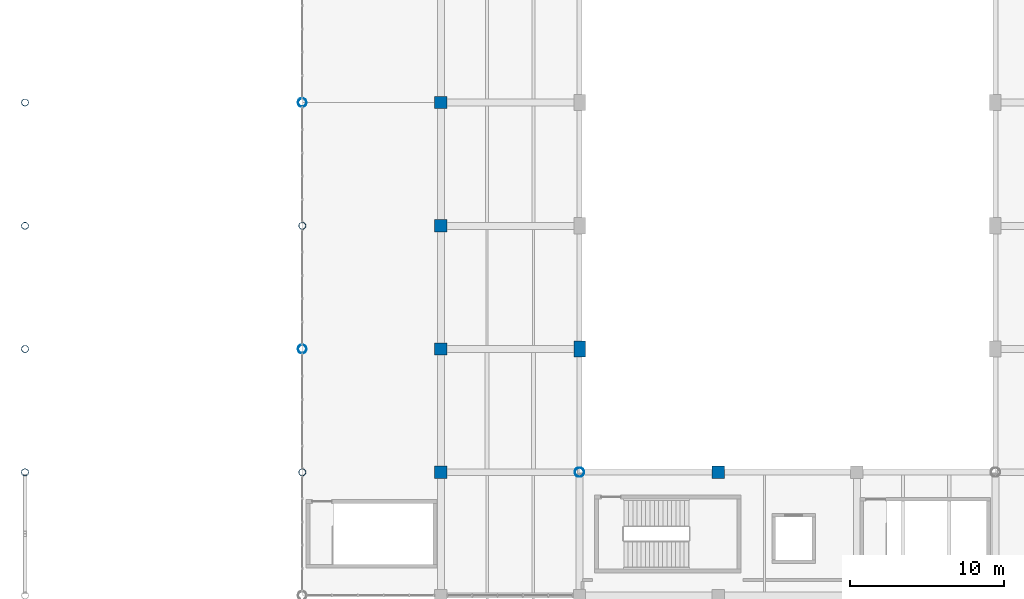
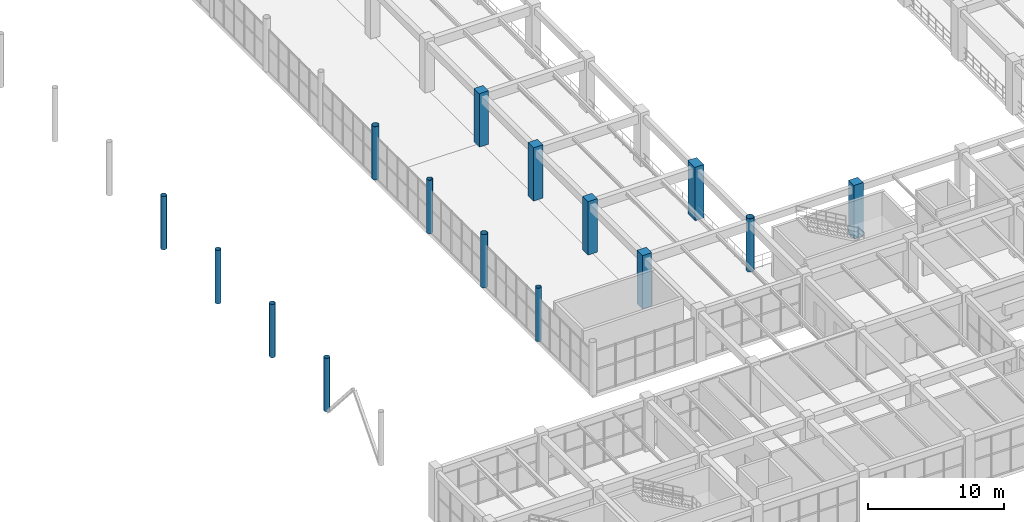
# One storey, part 3 of 178: 15 columns.
"""IFC4 building model written with IfcOpenShell, lengths in metres."""

from ifc_helpers import new_model, si_unit, derived_unit, direction, frame, origin, origin_2d, place, context, subcontext, project, spatial, rectangle, hollow_circle, extrude, material, material_profile, profile_set, type_object, element, save


model = new_model("IFC4")

# Units and contexts
model_context = context("Model", 3, precision=1e-05, world=origin(), true_north=direction((0.0, 1.0)))
body_context = subcontext(model_context, "Body", "Model", "MODEL_VIEW")
ifc_project = project(units=[si_unit("LENGTHUNIT", "METRE"), si_unit("AREAUNIT", "SQUARE_METRE"), si_unit("VOLUMEUNIT", "CUBIC_METRE"), si_unit("PLANEANGLEUNIT", "RADIAN"), si_unit("MASSUNIT", "GRAM", prefix="KILO"), derived_unit("THERMALTRANSMITTANCEUNIT", [(si_unit("MASSUNIT", "GRAM", prefix="KILO"), 1), (si_unit("TIMEUNIT", "SECOND"), -3), (si_unit("THERMODYNAMICTEMPERATUREUNIT", "KELVIN"), -1)])], contexts=[model_context])

# Site, building, storey
site_placement = place(None, origin())
site = spatial("IfcSite", under=ifc_project, at=site_placement, CompositionType="ELEMENT")
building_placement = place(site_placement, origin())
building = spatial("IfcBuilding", under=site, at=building_placement, Name="Zhenchuan Archway Interchange", CompositionType="ELEMENT")
storey_placement = place(building_placement, frame((0.0, 0.0, 5.39990234375)))
storey = spatial("IfcBuildingStorey", under=building, at=storey_placement, Name="L01", CompositionType="ELEMENT", Elevation=5.39990234375)

# Columns
ifc_material_1 = material(Name="Concrete C50", Category="concrete")
ifc_material_profile_1 = material_profile(ifc_material_1, rectangle(XDim=0.75, YDim=1.050048828125, at=origin_2d()), Name="RC 750x1050")
ifc_profile_set_1 = profile_set([ifc_material_profile_1], Name="Concrete C50")
column_type_1 = type_object("IfcColumnType", Name="COL_RC_750x1050", PredefinedType="COLUMN", material=ifc_profile_set_1)
column_1_placement = place(storey_placement, frame((36.0, 40.0, 0.0), z_axis=(0.0, 0.0, 1.0), x_axis=(1.0, 0.0, 0.0)))
element("IfcColumn", 1, at=column_1_placement, inside=storey, type_object=column_type_1, Name="Column 5/F (L01)", PredefinedType="COLUMN", context=body_context, shape_type="SweptSolid", body=[
    extrude(rectangle(XDim=0.75, YDim=1.050048828125, at=origin_2d()), origin(), (0.0, 0.0, 1.0), 4.800048828125),
])
ifc_material_2 = material(Name="Concrete C40", Category="concrete")
ifc_material_profile_2 = material_profile(ifc_material_2, rectangle(XDim=0.800048828125, YDim=0.800048828125, at=origin_2d()), Name="RC 800x800")
ifc_profile_set_2 = profile_set([ifc_material_profile_2], Name="Concrete C40")
column_type_2 = type_object("IfcColumnType", Name="COL_RC_800", PredefinedType="COLUMN", material=ifc_profile_set_2)
for number, where, z_axis, x_axis, name in (
    (2, (27.0, 32.0, 0.0), (0.0, 0.0, 1.0), (1.0, 0.0, 0.0), "Column 4/E (L01)"),
    (3, (27.0, 40.0, 0.0), (0.0, 0.0, 1.0), (1.0, 0.0, 0.0), "Column 4/F (L01)"),
    (4, (27.0, 48.0, 0.0), (0.0, 0.0, 1.0), (1.0, 0.0, 0.0), "Column 4/G (L01)"),
    (5, (27.0, 56.0, 0.0), (0.0, 0.0, 1.0), (1.0, 0.0, 0.0), "Column 4/H (L01)"),
    (6, (45.0, 32.0, 0.0), (0.0, 0.0, 1.0), (1.0, 0.0, 0.0), "Column 6/E (L01)"),
):
    element("IfcColumn", number, at=place(storey_placement, frame(where, z_axis=z_axis, x_axis=x_axis)), inside=storey, type_object=column_type_2, Name=name, PredefinedType="COLUMN", context=body_context, shape_type="SweptSolid", body=[
        extrude(rectangle(XDim=0.800048828125, YDim=0.800048828125, at=origin_2d()), origin(), (0.0, 0.0, 1.0), 4.800048828125),
    ])
ifc_material_3 = material(Name="Steel Q390", Category="steel")
ifc_material_profile_3 = material_profile(ifc_material_3, hollow_circle(Radius=0.228515625, WallThickness=0.01611328125, at=origin_2d()), Name="CHS 457x16")
ifc_profile_set_3 = profile_set([ifc_material_profile_3], Name="Steel Q390")
column_type_3 = type_object("IfcColumnType", Name="COL_STL_CHS457", PredefinedType="COLUMN", material=ifc_profile_set_3)
for number, where, z_axis, x_axis, name in (
    (7, (0.0, 32.0, 0.0), (0.0, 0.0, 1.0), (1.0, 0.0, 0.0), "Column 1/E (L01)"),
    (8, (0.0, 40.0, 0.0), (0.0, 0.0, 1.0), (1.0, 0.0, 0.0), "Column 1/F (L01)"),
    (9, (0.0, 48.0, 0.0), (0.0, 0.0, 1.0), (1.0, 0.0, 0.0), "Column 1/G (L01)"),
    (10, (0.0, 56.0, 0.0), (0.0, 0.0, 1.0), (1.0, 0.0, 0.0), "Column 1/H (L01)"),
    (11, (18.0, 32.0, 0.0), (0.0, 0.0, 1.0), (1.0, 0.0, 0.0), "Column 3/E (L01)"),
    (12, (18.0, 48.0, 0.0), (0.0, 0.0, 1.0), (1.0, 0.0, 0.0), "Column 3/G (L01)"),
):
    element("IfcColumn", number, at=place(storey_placement, frame(where, z_axis=z_axis, x_axis=x_axis)), inside=storey, type_object=column_type_3, Name=name, PredefinedType="COLUMN", context=body_context, shape_type="SweptSolid", body=[
        extrude(hollow_circle(Radius=0.228515625, WallThickness=0.01611328125, at=origin_2d()), origin(), (0.0, 0.0, 1.0), 4.800048828125),
    ])
ifc_material_profile_4 = material_profile(ifc_material_3, hollow_circle(Radius=0.279541015625, WallThickness=0.01806640625, at=origin_2d()), Name="CHS 559x18")
ifc_profile_set_4 = profile_set([ifc_material_profile_4], Name="Steel Q390")
column_type_4 = type_object("IfcColumnType", Name="COL_STL_CHS559", PredefinedType="COLUMN", material=ifc_profile_set_4)
for number, where, z_axis, x_axis, name in (
    (13, (18.0, 40.0, 0.0), (0.0, 0.0, 1.0), (1.0, 0.0, 0.0), "Column 3/F (L01)"),
    (14, (18.0, 56.0, 0.0), (0.0, 0.0, 1.0), (1.0, 0.0, 0.0), "Column 3/H (L01)"),
):
    element("IfcColumn", number, at=place(storey_placement, frame(where, z_axis=z_axis, x_axis=x_axis)), inside=storey, type_object=column_type_4, Name=name, PredefinedType="COLUMN", context=body_context, shape_type="SweptSolid", body=[
        extrude(hollow_circle(Radius=0.279541015625, WallThickness=0.01806640625, at=origin_2d()), origin(), (0.0, 0.0, 1.0), 4.800048828125),
    ])
ifc_material_profile_5 = material_profile(ifc_material_3, hollow_circle(Radius=0.304931640625, WallThickness=0.02001953125, at=origin_2d()), Name="CHS 610x20")
ifc_profile_set_5 = profile_set([ifc_material_profile_5], Name="Steel Q390")
column_type_5 = type_object("IfcColumnType", Name="COL_STL_CHS610", PredefinedType="COLUMN", material=ifc_profile_set_5)
column_2_placement = place(storey_placement, frame((36.0, 32.0, 0.0), z_axis=(0.0, 0.0, 1.0), x_axis=(1.0, 0.0, 0.0)))
element("IfcColumn", 15, at=column_2_placement, inside=storey, type_object=column_type_5, Name="Column 5/E (L01)", PredefinedType="COLUMN", context=body_context, shape_type="SweptSolid", body=[
    extrude(hollow_circle(Radius=0.304931640625, WallThickness=0.02001953125, at=origin_2d()), origin(), (0.0, 0.0, 1.0), 4.800048828125),
])

save(model, "model.ifc")
